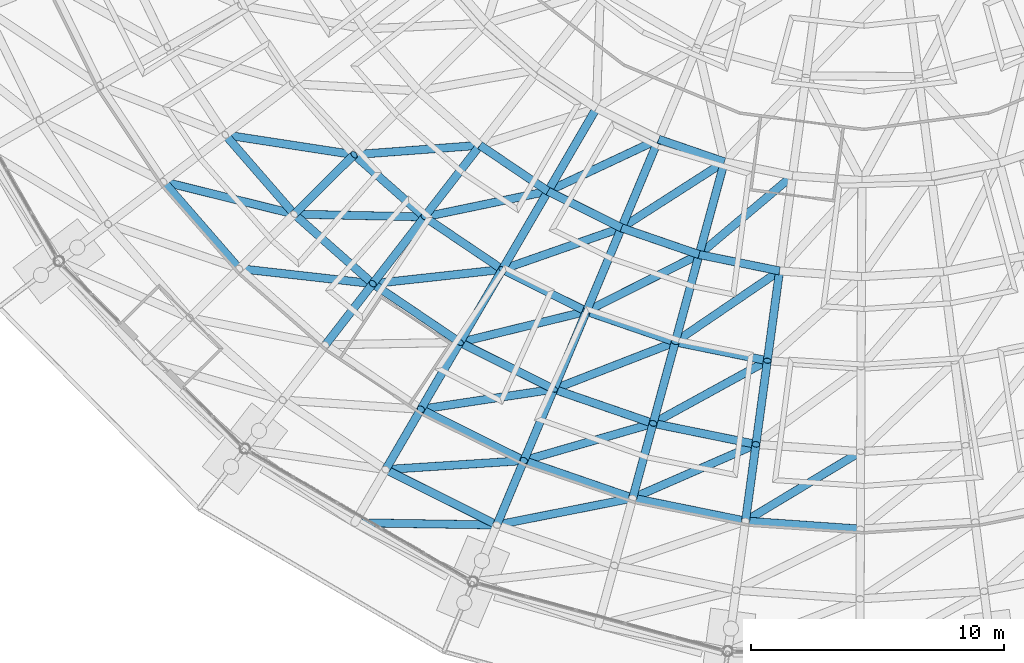
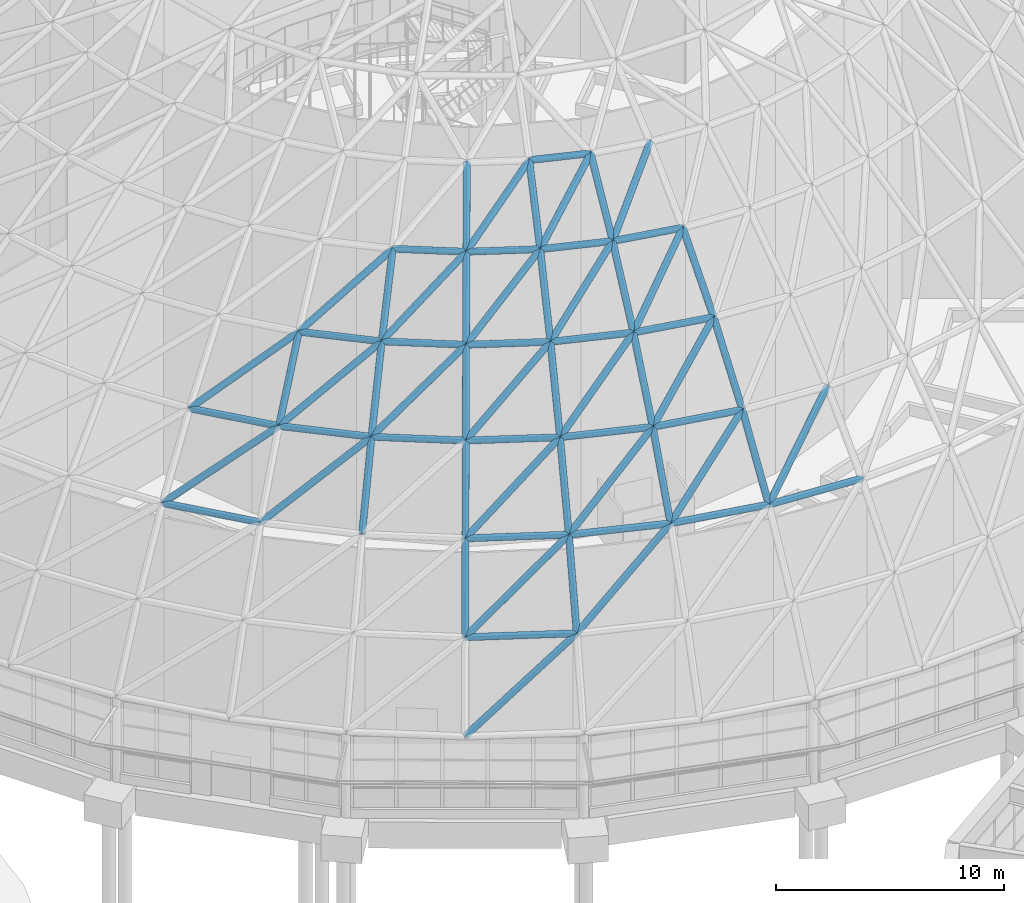
# One storey, part 75 of 226: 66 members.
"""IFC4 building model written with IfcOpenShell, lengths in metres."""

from ifc_helpers import new_model, si_unit, direction, frame, origin, origin_2d, place, context, subcontext, project, spatial, hollow_circle, extrude, material, material_profile, profile_set, type_object, element, save


model = new_model("IFC4")

# Units and contexts
model_context = context("Model", 3, precision=1e-05, world=origin(), true_north=direction((0.0, 1.0)))
body_context = subcontext(model_context, "Body", "Model", "MODEL_VIEW")
ifc_project = project(units=[si_unit("LENGTHUNIT", "METRE"), si_unit("AREAUNIT", "SQUARE_METRE"), si_unit("VOLUMEUNIT", "CUBIC_METRE"), si_unit("PLANEANGLEUNIT", "RADIAN"), si_unit("MASSUNIT", "GRAM", prefix="KILO")], contexts=[model_context])

# Site, building, storey
site_placement = place(None, origin())
site = spatial("IfcSite", under=ifc_project, at=site_placement, CompositionType="ELEMENT")
building_placement = place(site_placement, origin())
building = spatial("IfcBuilding", under=site, at=building_placement, Name="Ceibo Conservatory and Research Tower", CompositionType="ELEMENT")
storey_placement = place(building_placement, origin())
storey = spatial("IfcBuildingStorey", under=building, at=storey_placement, Name="L00", CompositionType="ELEMENT", Elevation=0.0)

# Members
ifc_material = material(Name="Steel ASTM A500 Gr C", Category="steel")
ifc_material_profile_1 = material_profile(ifc_material, hollow_circle(Radius=0.161865234375, WallThickness=0.01025390625, at=origin_2d()), Name="CHS 323.9x10.31")
ifc_profile_set_1 = profile_set([ifc_material_profile_1], Name="Steel ASTM A500 Gr C")
member_type_1 = type_object("IfcMemberType", Name="CHS 323.9x10.31", PredefinedType="NOTDEFINED", material=ifc_profile_set_1)
member_1_placement = place(storey_placement, frame((137.075927734375, 75.550048828125, 8.115966796875), z_axis=(0.8949433851, -0.446179714315, 0.0), x_axis=(0.446179714315, 0.8949433851, 0.0)))
element("IfcMember", 1, at=member_1_placement, inside=storey, type_object=member_type_1, Name="Gridshell member A-C02-32", PredefinedType="CHORD", context=body_context, shape_type="SweptSolid", body=[
    extrude(hollow_circle(Radius=0.161865234375, WallThickness=0.01025390625, at=origin_2d()), origin(), (0.0, 0.0, 1.0), 4.9130859375),
])
for number, where, z_axis, x_axis, name in (
    (2, (128.294921875, 86.93310546875, 11.489013671875), (0.65607913987, -0.754692097632, 0.0), (0.754692097632, 0.65607913987, 0.0), "Gridshell member A-C03-29"),
    (3, (138.466064453125, 77.93408203125, 11.489013671875), (0.894994855491, -0.446076460537, 0.0), (0.446076460537, 0.894994855491, 0.0), "Gridshell member A-C03-32"),
):
    element("IfcMember", number, at=place(storey_placement, frame(where, z_axis=z_axis, x_axis=x_axis)), inside=storey, type_object=member_type_1, Name=name, PredefinedType="CHORD", context=body_context, shape_type="SweptSolid", body=[
        extrude(hollow_circle(Radius=0.161865234375, WallThickness=0.01025390625, at=origin_2d()), origin(), (0.0, 0.0, 1.0), 4.552978515625),
    ])
member_2_placement = place(storey_placement, frame((142.541015625, 75.903076171875, 11.489013671875), z_axis=(0.945504565873, -0.325608838812, 0.0), x_axis=(0.325608838812, 0.945504565873, 0.0)))
element("IfcMember", 4, at=member_2_placement, inside=storey, type_object=member_type_1, Name="Gridshell member A-C03-33", PredefinedType="CHORD", context=body_context, shape_type="SweptSolid", body=[
    extrude(hollow_circle(Radius=0.161865234375, WallThickness=0.01025390625, at=origin_2d()), origin(), (0.0, 0.0, 1.0), 4.552001953125),
])
member_3_placement = place(storey_placement, frame((146.844970703125, 74.4208984375, 11.489013671875), z_axis=(0.979917310908, -0.199404272229, 0.0), x_axis=(0.199404272229, 0.979917310908, 0.0)))
element("IfcMember", 5, at=member_3_placement, inside=storey, type_object=member_type_1, Name="Gridshell member A-C03-34", PredefinedType="CHORD", context=body_context, shape_type="SweptSolid", body=[
    extrude(hollow_circle(Radius=0.161865234375, WallThickness=0.01025390625, at=origin_2d()), origin(), (0.0, 0.0, 1.0), 4.553466796875),
])
member_4_placement = place(storey_placement, frame((151.306884765625, 73.512939453125, 11.489013671875), z_axis=(0.997558967142, -0.0698291277, 0.0), x_axis=(0.0698291277, 0.997558967142, 0.0)))
element("IfcMember", 6, at=member_4_placement, inside=storey, type_object=member_type_1, Name="Gridshell member A-C03-35", PredefinedType="CHORD", context=body_context, shape_type="SweptSolid", body=[
    extrude(hollow_circle(Radius=0.161865234375, WallThickness=0.01025390625, at=origin_2d()), origin(), (0.0, 0.0, 1.0), 4.55224609375),
])
member_5_placement = place(storey_placement, frame((130.73291015625, 88.785888671875, 14.591064453125), z_axis=(0.656053517669, -0.754714371106, 0.0), x_axis=(0.754714371106, 0.656053517669, 0.0)))
element("IfcMember", 7, at=member_5_placement, inside=storey, type_object=member_type_1, Name="Gridshell member A-C04-29", PredefinedType="CHORD", context=body_context, shape_type="SweptSolid", body=[
    extrude(hollow_circle(Radius=0.161865234375, WallThickness=0.01025390625, at=origin_2d()), origin(), (0.0, 0.0, 1.0), 4.15234375),
])
member_6_placement = place(storey_placement, frame((133.45703125, 85.652099609375, 14.591064453125), z_axis=(0.748870830018, -0.662715987394, 0.0), x_axis=(0.662715987394, 0.748870830018, 0.0)))
element("IfcMember", 8, at=member_6_placement, inside=storey, type_object=member_type_1, Name="Gridshell member A-C04-30", PredefinedType="CHORD", context=body_context, shape_type="SweptSolid", body=[
    extrude(hollow_circle(Radius=0.161865234375, WallThickness=0.01025390625, at=origin_2d()), origin(), (0.0, 0.0, 1.0), 4.1513671875),
])
member_7_placement = place(storey_placement, frame((136.56591796875, 82.90087890625, 14.591064453125), z_axis=(0.829108253131, -0.55908810092, 0.0), x_axis=(0.55908810092, 0.829108253131, 0.0)))
element("IfcMember", 9, at=member_7_placement, inside=storey, type_object=member_type_1, Name="Gridshell member A-C04-31", PredefinedType="CHORD", context=body_context, shape_type="SweptSolid", body=[
    extrude(hollow_circle(Radius=0.161865234375, WallThickness=0.01025390625, at=origin_2d()), origin(), (0.0, 0.0, 1.0), 4.15283203125),
])
for number, where, z_axis, x_axis, name in (
    (10, (140.009033203125, 80.5791015625, 14.591064453125), (0.895002693577, -0.446060734083, 0.0), (0.446060734083, 0.895002693577, 0.0), "Gridshell member A-C04-32"),
    (11, (143.72509765625, 78.72705078125, 14.591064453125), (0.945496636274, -0.325631863911, 0.0), (0.325631863911, 0.945496636274, 0.0), "Gridshell member A-C04-33"),
):
    element("IfcMember", number, at=place(storey_placement, frame(where, z_axis=z_axis, x_axis=x_axis)), inside=storey, type_object=member_type_1, Name=name, PredefinedType="CHORD", context=body_context, shape_type="SweptSolid", body=[
        extrude(hollow_circle(Radius=0.161865234375, WallThickness=0.01025390625, at=origin_2d()), origin(), (0.0, 0.0, 1.0), 4.152099609375),
    ])
member_8_placement = place(storey_placement, frame((147.65087890625, 77.375, 14.591064453125), z_axis=(0.979914658126, -0.19941730815, 0.0), x_axis=(0.19941730815, 0.979914658126, 0.0)))
element("IfcMember", 12, at=member_8_placement, inside=storey, type_object=member_type_1, Name="Gridshell member A-C04-34", PredefinedType="CHORD", context=body_context, shape_type="SweptSolid", body=[
    extrude(hollow_circle(Radius=0.161865234375, WallThickness=0.01025390625, at=origin_2d()), origin(), (0.0, 0.0, 1.0), 4.151611328125),
])
member_9_placement = place(storey_placement, frame((138.610107421875, 85.5400390625, 17.39501953125), z_axis=(0.503308696319, 0.650167743921, 0.569176827509), x_axis=(-0.790751363056, 0.612137469712, 0.0)))
element("IfcMember", 13, at=member_9_placement, inside=storey, type_object=member_type_1, Name="Gridshell member A-M31-05", PredefinedType="RAFTER", context=body_context, shape_type="SweptSolid", body=[
    extrude(hollow_circle(Radius=0.161865234375, WallThickness=0.01025390625, at=origin_2d()), origin(), (0.0, 0.0, 1.0), 4.35888671875),
])
member_10_placement = place(storey_placement, frame((141.68994140625, 83.462890625, 17.39501953125), z_axis=(0.414199362111, 0.710200096409, 0.569258035945), x_axis=(-0.863823379854, 0.503794768153, 0.0)))
element("IfcMember", 14, at=member_10_placement, inside=storey, type_object=member_type_1, Name="Gridshell member A-M32-05", PredefinedType="RAFTER", context=body_context, shape_type="SweptSolid", body=[
    extrude(hollow_circle(Radius=0.161865234375, WallThickness=0.01025390625, at=origin_2d()), origin(), (0.0, 0.0, 1.0), 4.358154296875),
])
member_11_placement = place(storey_placement, frame((145.014892578125, 81.804931640625, 17.39501953125), z_axis=(0.318032147885, 0.75813441207, 0.569287068311), x_axis=(-0.92214890808, 0.386835095779, 0.0)))
element("IfcMember", 15, at=member_11_placement, inside=storey, type_object=member_type_1, Name="Gridshell member A-M33-05", PredefinedType="RAFTER", context=body_context, shape_type="SweptSolid", body=[
    extrude(hollow_circle(Radius=0.161865234375, WallThickness=0.01025390625, at=origin_2d()), origin(), (0.0, 0.0, 1.0), 4.35791015625),
])
member_12_placement = place(storey_placement, frame((148.529052734375, 80.594970703125, 17.39501953125), z_axis=(0.216123089766, 0.793235601629, 0.569269786988), x_axis=(-0.964829832004, 0.262875246601, 0.0)))
element("IfcMember", 16, at=member_12_placement, inside=storey, type_object=member_type_1, Name="Gridshell member A-M34-05", PredefinedType="RAFTER", context=body_context, shape_type="SweptSolid", body=[
    extrude(hollow_circle(Radius=0.161865234375, WallThickness=0.01025390625, at=origin_2d()), origin(), (0.0, 0.0, 1.0), 4.358154296875),
])
member_13_placement = place(storey_placement, frame((152.169921875, 79.85400390625, 17.39501953125), z_axis=(0.110847960683, 0.814696103147, 0.569195036107), x_axis=(-0.990870335562, 0.134818315165, 0.0)))
element("IfcMember", 17, at=member_13_placement, inside=storey, type_object=member_type_1, Name="Gridshell member A-M35-05", PredefinedType="RAFTER", context=body_context, shape_type="SweptSolid", body=[
    extrude(hollow_circle(Radius=0.161865234375, WallThickness=0.01025390625, at=origin_2d()), origin(), (0.0, 0.0, 1.0), 4.358642578125),
])
member_14_placement = place(storey_placement, frame((143.4951171875, 86.55810546875, 19.8759765625), z_axis=(0.439232549316, 0.752850077834, 0.4901953977), x_axis=(-0.863743942894, 0.503930948755, 0.0)))
element("IfcMember", 18, at=member_14_placement, inside=storey, type_object=member_type_1, Name="Gridshell member A-M32-06", PredefinedType="RAFTER", context=body_context, shape_type="SweptSolid", body=[
    extrude(hollow_circle(Radius=0.161865234375, WallThickness=0.01025390625, at=origin_2d()), origin(), (0.0, 0.0, 1.0), 4.359375),
])
for number, where, z_axis, x_axis, name in (
    (19, (146.40087890625, 85.10888671875, 19.8759765625), (0.337226420994, 0.803754702844, 0.490159890893), (-0.922125629519, 0.38689058322, 0.0), "Gridshell member A-M33-06"),
    (20, (149.470947265625, 84.052001953125, 19.8759765625), (0.229377823513, 0.840902685028, 0.49017189678), (-0.964751959039, 0.263160896659, 0.0), "Gridshell member A-M34-06"),
):
    element("IfcMember", number, at=place(storey_placement, frame(where, z_axis=z_axis, x_axis=x_axis)), inside=storey, type_object=member_type_1, Name=name, PredefinedType="RAFTER", context=body_context, shape_type="SweptSolid", body=[
        extrude(hollow_circle(Radius=0.161865234375, WallThickness=0.01025390625, at=origin_2d()), origin(), (0.0, 0.0, 1.0), 4.359619140625),
    ])
ifc_material_profile_2 = material_profile(ifc_material, hollow_circle(Radius=0.161865234375, WallThickness=0.01416015625, at=origin_2d()), Name="CHS 323.9x14.27")
ifc_profile_set_2 = profile_set([ifc_material_profile_2], Name="Steel ASTM A500 Gr C")
member_type_2 = type_object("IfcMemberType", Name="CHS 323.9x14.27", PredefinedType="NOTDEFINED", material=ifc_profile_set_2)
member_15_placement = place(storey_placement, frame((137.075927734375, 75.550048828125, 8.115966796875), z_axis=(0.318973468707, 0.547027734795, 0.773961616378), x_axis=(-0.863865520141, 0.503722506061, 0.0)))
element("IfcMember", 21, at=member_15_placement, inside=storey, type_object=member_type_2, Name="Gridshell member A-M32-02", PredefinedType="RAFTER", context=body_context, shape_type="SweptSolid", body=[
    extrude(hollow_circle(Radius=0.161865234375, WallThickness=0.01416015625, at=origin_2d()), origin(), (0.0, 0.0, 1.0), 4.358154296875),
])
for number, where, z_axis, x_axis, name in (
    (22, (141.472900390625, 73.35791015625, 8.115966796875), (0.245067042307, 0.583959752241, 0.773907715776), (-0.92209259312, 0.386969313659, 0.0), "Gridshell member A-M33-02"),
    (23, (134.69189453125, 80.47998046875, 11.489013671875), (0.429982152126, 0.55545896567, 0.711744818253), (-0.790758572385, 0.612128156679, 0.0), "Gridshell member A-M31-03"),
):
    element("IfcMember", number, at=place(storey_placement, frame(where, z_axis=z_axis, x_axis=x_axis)), inside=storey, type_object=member_type_2, Name=name, PredefinedType="RAFTER", context=body_context, shape_type="SweptSolid", body=[
        extrude(hollow_circle(Radius=0.161865234375, WallThickness=0.01416015625, at=origin_2d()), origin(), (0.0, 0.0, 1.0), 4.3583984375),
    ])
for number, where, z_axis, x_axis, name in (
    (24, (138.466064453125, 77.93408203125, 11.489013671875), (0.353985034917, 0.606815485489, 0.711666748996), (-0.863773117464, 0.503880939853, 0.0), "Gridshell member A-M32-03"),
    (25, (142.541015625, 75.903076171875, 11.489013671875), (0.271649894063, 0.647870994768, 0.711666712158), (-0.922213642402, 0.386680743983, 0.0), "Gridshell member A-M33-03"),
    (26, (146.844970703125, 74.4208984375, 11.489013671875), (0.184893261593, 0.677736584451, 0.711679424962), (-0.964743579008, 0.263191616058, 0.0), "Gridshell member A-M34-03"),
):
    element("IfcMember", number, at=place(storey_placement, frame(where, z_axis=z_axis, x_axis=x_axis)), inside=storey, type_object=member_type_2, Name=name, PredefinedType="RAFTER", context=body_context, shape_type="SweptSolid", body=[
        extrude(hollow_circle(Radius=0.161865234375, WallThickness=0.01416015625, at=origin_2d()), origin(), (0.0, 0.0, 1.0), 4.35888671875),
    ])
member_16_placement = place(storey_placement, frame((151.306884765625, 73.512939453125, 11.489013671875), z_axis=(0.094547361543, 0.696110550504, 0.711681739194), x_axis=(-0.990901834894, 0.134586602615, 0.0)))
element("IfcMember", 27, at=member_16_placement, inside=storey, type_object=member_type_2, Name="Gridshell member A-M35-03", PredefinedType="RAFTER", context=body_context, shape_type="SweptSolid", body=[
    extrude(hollow_circle(Radius=0.161865234375, WallThickness=0.01416015625, at=origin_2d()), origin(), (0.0, 0.0, 1.0), 4.358642578125),
])
member_17_placement = place(storey_placement, frame((133.45703125, 85.652099609375, 14.591064453125), z_axis=(0.543682245677, 0.539089483325, 0.643266775688), x_axis=(-0.704101132277, 0.710099708158, 0.0)))
element("IfcMember", 28, at=member_17_placement, inside=storey, type_object=member_type_2, Name="Gridshell member A-M30-04", PredefinedType="RAFTER", context=body_context, shape_type="SweptSolid", body=[
    extrude(hollow_circle(Radius=0.161865234375, WallThickness=0.01416015625, at=origin_2d()), origin(), (0.0, 0.0, 1.0), 4.35888671875),
])
member_18_placement = place(storey_placement, frame((136.56591796875, 82.90087890625, 14.591064453125), z_axis=(0.468894688422, 0.605368635117, 0.643169174313), x_axis=(-0.790583223008, 0.612354609273, 0.0)))
element("IfcMember", 29, at=member_18_placement, inside=storey, type_object=member_type_2, Name="Gridshell member A-M31-04", PredefinedType="RAFTER", context=body_context, shape_type="SweptSolid", body=[
    extrude(hollow_circle(Radius=0.161865234375, WallThickness=0.01416015625, at=origin_2d()), origin(), (0.0, 0.0, 1.0), 4.359619140625),
])
member_19_placement = place(storey_placement, frame((140.009033203125, 80.5791015625, 14.591064453125), z_axis=(0.385587665754, 0.661519463745, 0.643206149772), x_axis=(-0.863948631339, 0.503579946391, 0.0)))
element("IfcMember", 30, at=member_19_placement, inside=storey, type_object=member_type_2, Name="Gridshell member A-M32-04", PredefinedType="RAFTER", context=body_context, shape_type="SweptSolid", body=[
    extrude(hollow_circle(Radius=0.161865234375, WallThickness=0.01416015625, at=origin_2d()), origin(), (0.0, 0.0, 1.0), 4.359375),
])
member_20_placement = place(storey_placement, frame((143.72509765625, 78.72705078125, 14.591064453125), z_axis=(0.295906369032, 0.706131287977, 0.643286891601), x_axis=(-0.922293664029, 0.386489841125, 0.0)))
element("IfcMember", 31, at=member_20_placement, inside=storey, type_object=member_type_2, Name="Gridshell member A-M33-04", PredefinedType="RAFTER", context=body_context, shape_type="SweptSolid", body=[
    extrude(hollow_circle(Radius=0.161865234375, WallThickness=0.01416015625, at=origin_2d()), origin(), (0.0, 0.0, 1.0), 4.35888671875),
])
for number, where, z_axis, x_axis, name in (
    (32, (147.65087890625, 77.375, 14.591064453125), (0.201458598191, 0.738681526701, 0.64324492639), (-0.964763821238, 0.263117405792, 0.0), "Gridshell member A-M34-04"),
    (33, (151.718994140625, 76.547119140625, 14.591064453125), (0.103447230901, 0.75863169602, 0.643254708659), (-0.990830613177, 0.135109940387, 0.0), "Gridshell member A-M35-04"),
):
    element("IfcMember", number, at=place(storey_placement, frame(where, z_axis=z_axis, x_axis=x_axis)), inside=storey, type_object=member_type_2, Name=name, PredefinedType="RAFTER", context=body_context, shape_type="SweptSolid", body=[
        extrude(hollow_circle(Radius=0.161865234375, WallThickness=0.01416015625, at=origin_2d()), origin(), (0.0, 0.0, 1.0), 4.359130859375),
    ])
ifc_material_profile_3 = material_profile(ifc_material, hollow_circle(Radius=0.161865234375, WallThickness=0.00634765625, at=origin_2d()), Name="CHS 323.9x6.35")
ifc_profile_set_3 = profile_set([ifc_material_profile_3], Name="Steel ASTM A500 Gr C")
member_type_3 = type_object("IfcMemberType", Name="CHS 323.9x6.35", PredefinedType="NOTDEFINED", material=ifc_profile_set_3)
member_21_placement = place(storey_placement, frame((135.826904296875, 88.001953125, 17.39501953125), z_axis=(0.892974503729, 0.06675626134, 0.445129348911), x_axis=(-0.074549162442, 0.99721733959, 0.0)))
element("IfcMember", 34, at=member_21_placement, inside=storey, type_object=member_type_3, Name="Gridshell diagonal member A-D05-30", PredefinedType="BRACE", context=body_context, shape_type="SweptSolid", body=[
    extrude(hollow_circle(Radius=0.161865234375, WallThickness=0.00634765625, at=origin_2d()), origin(), (0.0, 0.0, 1.0), 5.573486328125),
])
member_22_placement = place(storey_placement, frame((138.610107421875, 85.5400390625, 17.39501953125), z_axis=(0.87659739768, 0.18268834766, 0.445198798302), x_axis=(-0.204022636451, 0.978966170925, 0.0)))
element("IfcMember", 35, at=member_22_placement, inside=storey, type_object=member_type_3, Name="Gridshell diagonal member A-D05-31", PredefinedType="BRACE", context=body_context, shape_type="SweptSolid", body=[
    extrude(hollow_circle(Radius=0.161865234375, WallThickness=0.00634765625, at=origin_2d()), origin(), (0.0, 0.0, 1.0), 5.57275390625),
])
member_23_placement = place(storey_placement, frame((141.68994140625, 83.462890625, 17.39501953125), z_axis=(0.845327335699, 0.295356389784, 0.445181197418), x_axis=(-0.329844794261, 0.944035175032, 0.0)))
element("IfcMember", 36, at=member_23_placement, inside=storey, type_object=member_type_3, Name="Gridshell diagonal member A-D05-32", PredefinedType="BRACE", context=body_context, shape_type="SweptSolid", body=[
    extrude(hollow_circle(Radius=0.161865234375, WallThickness=0.00634765625, at=origin_2d()), origin(), (0.0, 0.0, 1.0), 5.572998046875),
])
member_24_placement = place(storey_placement, frame((145.014892578125, 81.804931640625, 17.39501953125), z_axis=(0.799546122199, 0.40318992487, 0.445156020918), x_axis=(-0.45026362562, 0.892895664366, 0.0)))
element("IfcMember", 37, at=member_24_placement, inside=storey, type_object=member_type_3, Name="Gridshell diagonal member A-D05-33", PredefinedType="BRACE", context=body_context, shape_type="SweptSolid", body=[
    extrude(hollow_circle(Radius=0.161865234375, WallThickness=0.00634765625, at=origin_2d()), origin(), (0.0, 0.0, 1.0), 5.5732421875),
])
member_25_placement = place(storey_placement, frame((148.529052734375, 80.594970703125, 17.39501953125), z_axis=(0.739990879204, 0.504220638151, 0.445168559938), x_axis=(-0.563093914605, 0.82639291099, 0.0)))
element("IfcMember", 38, at=member_25_placement, inside=storey, type_object=member_type_3, Name="Gridshell diagonal member A-D05-34", PredefinedType="BRACE", context=body_context, shape_type="SweptSolid", body=[
    extrude(hollow_circle(Radius=0.161865234375, WallThickness=0.00634765625, at=origin_2d()), origin(), (0.0, 0.0, 1.0), 5.572998046875),
])
member_26_placement = place(storey_placement, frame((143.4951171875, 86.55810546875, 19.8759765625), z_axis=(0.827891164652, 0.388772591658, 0.404292086822), x_axis=(-0.425059993097, 0.905165179549, 0.0)))
element("IfcMember", 39, at=member_26_placement, inside=storey, type_object=member_type_3, Name="Gridshell diagonal member A-D06-32", PredefinedType="BRACE", context=body_context, shape_type="SweptSolid", body=[
    extrude(hollow_circle(Radius=0.161865234375, WallThickness=0.00634765625, at=origin_2d()), origin(), (0.0, 0.0, 1.0), 5.28564453125),
])
member_27_placement = place(storey_placement, frame((146.40087890625, 85.10888671875, 19.8759765625), z_axis=(0.770001148475, 0.493611797358, 0.404284089293), x_axis=(-0.539682633855, 0.841868549546, 0.0)))
element("IfcMember", 40, at=member_27_placement, inside=storey, type_object=member_type_3, Name="Gridshell diagonal member A-D06-33", PredefinedType="BRACE", context=body_context, shape_type="SweptSolid", body=[
    extrude(hollow_circle(Radius=0.161865234375, WallThickness=0.00634765625, at=origin_2d()), origin(), (0.0, 0.0, 1.0), 5.285888671875),
])
member_28_placement = place(storey_placement, frame((149.470947265625, 84.052001953125, 19.8759765625), z_axis=(0.698937599515, 0.589923473888, 0.404322305766), x_axis=(-0.644995391731, 0.764186459344, 0.0)))
element("IfcMember", 41, at=member_28_placement, inside=storey, type_object=member_type_3, Name="Gridshell diagonal member A-D06-34", PredefinedType="BRACE", context=body_context, shape_type="SweptSolid", body=[
    extrude(hollow_circle(Radius=0.161865234375, WallThickness=0.00634765625, at=origin_2d()), origin(), (0.0, 0.0, 1.0), 5.285400390625),
])
ifc_material_profile_4 = material_profile(ifc_material, hollow_circle(Radius=0.161865234375, WallThickness=0.00830078125, at=origin_2d()), Name="CHS 323.9x8.38")
ifc_profile_set_4 = profile_set([ifc_material_profile_4], Name="Steel ASTM A500 Gr C")
member_type_4 = type_object("IfcMemberType", Name="CHS 323.9x8.38", PredefinedType="NOTDEFINED", material=ifc_profile_set_4)
member_29_placement = place(storey_placement, frame((135.826904296875, 88.001953125, 17.39501953125), z_axis=(0.749016627526, -0.662551199296, 0.0), x_axis=(0.662551199296, 0.749016627526, 0.0)))
element("IfcMember", 42, at=member_29_placement, inside=storey, type_object=member_type_4, Name="Gridshell member A-C05-30", PredefinedType="CHORD", context=body_context, shape_type="SweptSolid", body=[
    extrude(hollow_circle(Radius=0.161865234375, WallThickness=0.00830078125, at=origin_2d()), origin(), (0.0, 0.0, 1.0), 3.7158203125),
])
member_30_placement = place(storey_placement, frame((138.610107421875, 85.5400390625, 17.39501953125), z_axis=(0.82906575216, -0.559151123217, 0.0), x_axis=(0.559151123217, 0.82906575216, 0.0)))
element("IfcMember", 43, at=member_30_placement, inside=storey, type_object=member_type_4, Name="Gridshell member A-C05-31", PredefinedType="CHORD", context=body_context, shape_type="SweptSolid", body=[
    extrude(hollow_circle(Radius=0.161865234375, WallThickness=0.00830078125, at=origin_2d()), origin(), (0.0, 0.0, 1.0), 3.71484375),
])
member_31_placement = place(storey_placement, frame((141.68994140625, 83.462890625, 17.39501953125), z_axis=(0.894912920868, -0.446240813982, 0.0), x_axis=(0.446240813982, 0.894912920868, 0.0)))
element("IfcMember", 44, at=member_31_placement, inside=storey, type_object=member_type_4, Name="Gridshell member A-C05-32", PredefinedType="CHORD", context=body_context, shape_type="SweptSolid", body=[
    extrude(hollow_circle(Radius=0.161865234375, WallThickness=0.00830078125, at=origin_2d()), origin(), (0.0, 0.0, 1.0), 3.71533203125),
])
member_32_placement = place(storey_placement, frame((145.014892578125, 81.804931640625, 17.39501953125), z_axis=(0.945523664419, -0.325553375077, 0.0), x_axis=(0.325553375077, 0.945523664419, 0.0)))
element("IfcMember", 45, at=member_32_placement, inside=storey, type_object=member_type_4, Name="Gridshell member A-C05-33", PredefinedType="CHORD", context=body_context, shape_type="SweptSolid", body=[
    extrude(hollow_circle(Radius=0.161865234375, WallThickness=0.00830078125, at=origin_2d()), origin(), (0.0, 0.0, 1.0), 3.716552734375),
])
member_33_placement = place(storey_placement, frame((148.529052734375, 80.594970703125, 17.39501953125), z_axis=(0.979912945851, -0.199425721897, 0.0), x_axis=(0.199425721897, 0.979912945851, 0.0)))
element("IfcMember", 46, at=member_33_placement, inside=storey, type_object=member_type_4, Name="Gridshell member A-C05-34", PredefinedType="CHORD", context=body_context, shape_type="SweptSolid", body=[
    extrude(hollow_circle(Radius=0.161865234375, WallThickness=0.00830078125, at=origin_2d()), origin(), (0.0, 0.0, 1.0), 3.715576171875),
])
member_34_placement = place(storey_placement, frame((140.803955078125, 88.3740234375, 19.8759765625), z_axis=(0.828936715404, -0.559342401268, 0.0), x_axis=(0.559342401268, 0.828936715404, 0.0)))
element("IfcMember", 47, at=member_34_placement, inside=storey, type_object=member_type_4, Name="Gridshell member A-C06-31", PredefinedType="CHORD", context=body_context, shape_type="SweptSolid", body=[
    extrude(hollow_circle(Radius=0.161865234375, WallThickness=0.00830078125, at=origin_2d()), origin(), (0.0, 0.0, 1.0), 3.24658203125),
])
member_35_placement = place(storey_placement, frame((143.4951171875, 86.55810546875, 19.8759765625), z_axis=(0.894877859035, -0.446311121763, 0.0), x_axis=(0.446311121763, 0.894877859035, 0.0)))
element("IfcMember", 48, at=member_35_placement, inside=storey, type_object=member_type_4, Name="Gridshell member A-C06-32", PredefinedType="CHORD", context=body_context, shape_type="SweptSolid", body=[
    extrude(hollow_circle(Radius=0.161865234375, WallThickness=0.00830078125, at=origin_2d()), origin(), (0.0, 0.0, 1.0), 3.2470703125),
])
member_36_placement = place(storey_placement, frame((146.40087890625, 85.10888671875, 19.8759765625), z_axis=(0.9455398622, -0.325506327114, 0.0), x_axis=(0.325506327114, 0.9455398622, 0.0)))
element("IfcMember", 49, at=member_36_placement, inside=storey, type_object=member_type_4, Name="Gridshell member A-C06-33", PredefinedType="CHORD", context=body_context, shape_type="SweptSolid", body=[
    extrude(hollow_circle(Radius=0.161865234375, WallThickness=0.00830078125, at=origin_2d()), origin(), (0.0, 0.0, 1.0), 3.246826171875),
])
member_37_placement = place(storey_placement, frame((149.470947265625, 84.052001953125, 19.8759765625), z_axis=(0.979951095074, -0.199238177225, 0.0), x_axis=(0.199238177225, 0.979951095074, 0.0)))
element("IfcMember", 50, at=member_37_placement, inside=storey, type_object=member_type_4, Name="Gridshell member A-C06-34", PredefinedType="CHORD", context=body_context, shape_type="SweptSolid", body=[
    extrude(hollow_circle(Radius=0.161865234375, WallThickness=0.00830078125, at=origin_2d()), origin(), (0.0, 0.0, 1.0), 3.247314453125),
])
member_38_placement = place(storey_placement, frame((147.87109375, 88.613037109375, 22.012939453125), z_axis=(0.945538929888, -0.325509035306, 0.0), x_axis=(0.325509035306, 0.945538929888, 0.0)))
element("IfcMember", 51, at=member_38_placement, inside=storey, type_object=member_type_4, Name="Gridshell member A-C07-33", PredefinedType="CHORD", context=body_context, shape_type="SweptSolid", body=[
    extrude(hollow_circle(Radius=0.161865234375, WallThickness=0.00830078125, at=origin_2d()), origin(), (0.0, 0.0, 1.0), 2.74951171875),
])
member_39_placement = place(storey_placement, frame((135.84912109375, 73.447021484375, 4.5), z_axis=(0.84105750298, -0.013326936774, 0.540781535777), x_axis=(0.015843463722, 0.999874484452, 0.0)))
element("IfcMember", 52, at=member_39_placement, inside=storey, type_object=member_type_4, Name="Gridshell diagonal member A-D01-32", PredefinedType="BRACE", context=body_context, shape_type="SweptSolid", body=[
    extrude(hollow_circle(Radius=0.161865234375, WallThickness=0.00830078125, at=origin_2d()), origin(), (0.0, 0.0, 1.0), 6.6865234375),
])
member_40_placement = place(storey_placement, frame((137.075927734375, 75.550048828125, 8.115966796875), z_axis=(0.849685640512, 0.054886997372, 0.524425142252), x_axis=(-0.064462475339, 0.997920131711, 0.0)))
element("IfcMember", 53, at=member_40_placement, inside=storey, type_object=member_type_4, Name="Gridshell diagonal member A-D02-32", PredefinedType="BRACE", context=body_context, shape_type="SweptSolid", body=[
    extrude(hollow_circle(Radius=0.161865234375, WallThickness=0.00830078125, at=origin_2d()), origin(), (0.0, 0.0, 1.0), 6.431884765625),
])
member_41_placement = place(storey_placement, frame((141.472900390625, 73.35791015625, 8.115966796875), z_axis=(0.835251278152, 0.165273771363, 0.524442449507), x_axis=(-0.194109539736, 0.980979860437, 0.0)))
element("IfcMember", 54, at=member_41_placement, inside=storey, type_object=member_type_4, Name="Gridshell diagonal member A-D02-33", PredefinedType="BRACE", context=body_context, shape_type="SweptSolid", body=[
    extrude(hollow_circle(Radius=0.161865234375, WallThickness=0.00830078125, at=origin_2d()), origin(), (0.0, 0.0, 1.0), 6.431640625),
])
member_42_placement = place(storey_placement, frame((128.294921875, 86.93310546875, 11.489013671875), z_axis=(0.838386335016, -0.208050184441, 0.503808965792), x_axis=(0.24085036784, 0.970562259884, 0.0)))
element("IfcMember", 55, at=member_42_placement, inside=storey, type_object=member_type_4, Name="Gridshell diagonal member A-D03-29", PredefinedType="BRACE", context=body_context, shape_type="SweptSolid", body=[
    extrude(hollow_circle(Radius=0.161865234375, WallThickness=0.00830078125, at=origin_2d()), origin(), (0.0, 0.0, 1.0), 6.1572265625),
])
member_43_placement = place(storey_placement, frame((131.281982421875, 83.4970703125, 11.489013671875), z_axis=(0.858318699865, -0.09684490436, 0.503894903686), x_axis=(0.112119508839, 0.993694729652, 0.0)))
element("IfcMember", 56, at=member_43_placement, inside=storey, type_object=member_type_4, Name="Gridshell diagonal member A-D03-30", PredefinedType="BRACE", context=body_context, shape_type="SweptSolid", body=[
    extrude(hollow_circle(Radius=0.161865234375, WallThickness=0.00830078125, at=origin_2d()), origin(), (0.0, 0.0, 1.0), 6.15625),
])
member_44_placement = place(storey_placement, frame((138.466064453125, 77.93408203125, 11.489013671875), z_axis=(0.854151764388, 0.128790907141, 0.50382304992), x_axis=(-0.149096875002, 0.988822593727, 0.0)))
element("IfcMember", 57, at=member_44_placement, inside=storey, type_object=member_type_4, Name="Gridshell diagonal member A-D03-32", PredefinedType="BRACE", context=body_context, shape_type="SweptSolid", body=[
    extrude(hollow_circle(Radius=0.161865234375, WallThickness=0.00830078125, at=origin_2d()), origin(), (0.0, 0.0, 1.0), 6.156982421875),
])
for number, where, z_axis, x_axis, name in (
    (58, (142.541015625, 75.903076171875, 11.489013671875), (0.830022339055, 0.239092435842, 0.503882648831), (-0.276800362223, 0.960927447559, 0.0), "Gridshell diagonal member A-D03-33"),
    (59, (146.844970703125, 74.4208984375, 11.489013671875), (0.791717204158, 0.345374931427, 0.50388493268), (-0.399845579555, 0.916582518113, 0.0), "Gridshell diagonal member A-D03-34"),
):
    element("IfcMember", number, at=place(storey_placement, frame(where, z_axis=z_axis, x_axis=x_axis)), inside=storey, type_object=member_type_4, Name=name, PredefinedType="BRACE", context=body_context, shape_type="SweptSolid", body=[
        extrude(hollow_circle(Radius=0.161865234375, WallThickness=0.00830078125, at=origin_2d()), origin(), (0.0, 0.0, 1.0), 6.15625),
    ])
member_45_placement = place(storey_placement, frame((151.306884765625, 73.512939453125, 11.489013671875), z_axis=(0.739823614674, 0.44578200005, 0.503924029594), x_axis=(-0.516101930816, 0.85652717237, 0.0)))
element("IfcMember", 60, at=member_45_placement, inside=storey, type_object=member_type_4, Name="Gridshell diagonal member A-D03-35", PredefinedType="BRACE", context=body_context, shape_type="SweptSolid", body=[
    extrude(hollow_circle(Radius=0.161865234375, WallThickness=0.00830078125, at=origin_2d()), origin(), (0.0, 0.0, 1.0), 6.15576171875),
])
member_46_placement = place(storey_placement, frame((130.73291015625, 88.785888671875, 14.591064453125), z_axis=(0.868197122688, -0.13361039832, 0.477893311961), x_axis=(0.152103458337, 0.988364577452, 0.0)))
element("IfcMember", 61, at=member_46_placement, inside=storey, type_object=member_type_4, Name="Gridshell diagonal member A-D04-29", PredefinedType="BRACE", context=body_context, shape_type="SweptSolid", body=[
    extrude(hollow_circle(Radius=0.161865234375, WallThickness=0.00830078125, at=origin_2d()), origin(), (0.0, 0.0, 1.0), 5.867431640625),
])
member_47_placement = place(storey_placement, frame((133.45703125, 85.652099609375, 14.591064453125), z_axis=(0.878223167616, -0.019098139666, 0.477869573131), x_axis=(0.021741199942, 0.999763632178, 0.0)))
element("IfcMember", 62, at=member_47_placement, inside=storey, type_object=member_type_4, Name="Gridshell diagonal member A-D04-30", PredefinedType="BRACE", context=body_context, shape_type="SweptSolid", body=[
    extrude(hollow_circle(Radius=0.161865234375, WallThickness=0.00830078125, at=origin_2d()), origin(), (0.0, 0.0, 1.0), 5.86767578125),
])
member_48_placement = place(storey_placement, frame((136.56591796875, 82.90087890625, 14.591064453125), z_axis=(0.873211921711, 0.095775388021, 0.47783680774), x_axis=(-0.109027876411, 0.994038692489, 0.0)))
element("IfcMember", 63, at=member_48_placement, inside=storey, type_object=member_type_4, Name="Gridshell diagonal member A-D04-31", PredefinedType="BRACE", context=body_context, shape_type="SweptSolid", body=[
    extrude(hollow_circle(Radius=0.161865234375, WallThickness=0.00830078125, at=origin_2d()), origin(), (0.0, 0.0, 1.0), 5.867919921875),
])
member_49_placement = place(storey_placement, frame((140.009033203125, 80.5791015625, 14.591064453125), z_axis=(0.853201162237, 0.208931088353, 0.477907498453), x_axis=(-0.237851400186, 0.971301555352, 0.0)))
element("IfcMember", 64, at=member_49_placement, inside=storey, type_object=member_type_4, Name="Gridshell diagonal member A-D04-32", PredefinedType="BRACE", context=body_context, shape_type="SweptSolid", body=[
    extrude(hollow_circle(Radius=0.161865234375, WallThickness=0.00830078125, at=origin_2d()), origin(), (0.0, 0.0, 1.0), 5.8671875),
])
for number, where, z_axis, x_axis, name in (
    (65, (143.72509765625, 78.72705078125, 14.591064453125), (0.818719264621, 0.318342282544, 0.477867091232), (-0.36239825961, 0.932023337386, 0.0), "Gridshell diagonal member A-D04-33"),
    (66, (147.65087890625, 77.375, 14.591064453125), (0.770161684781, 0.422486318059, 0.477866393826), (-0.480954773031, 0.876745405633, 0.0), "Gridshell diagonal member A-D04-34"),
):
    element("IfcMember", number, at=place(storey_placement, frame(where, z_axis=z_axis, x_axis=x_axis)), inside=storey, type_object=member_type_4, Name=name, PredefinedType="BRACE", context=body_context, shape_type="SweptSolid", body=[
        extrude(hollow_circle(Radius=0.161865234375, WallThickness=0.00830078125, at=origin_2d()), origin(), (0.0, 0.0, 1.0), 5.86767578125),
    ])

save(model, "model.ifc")
